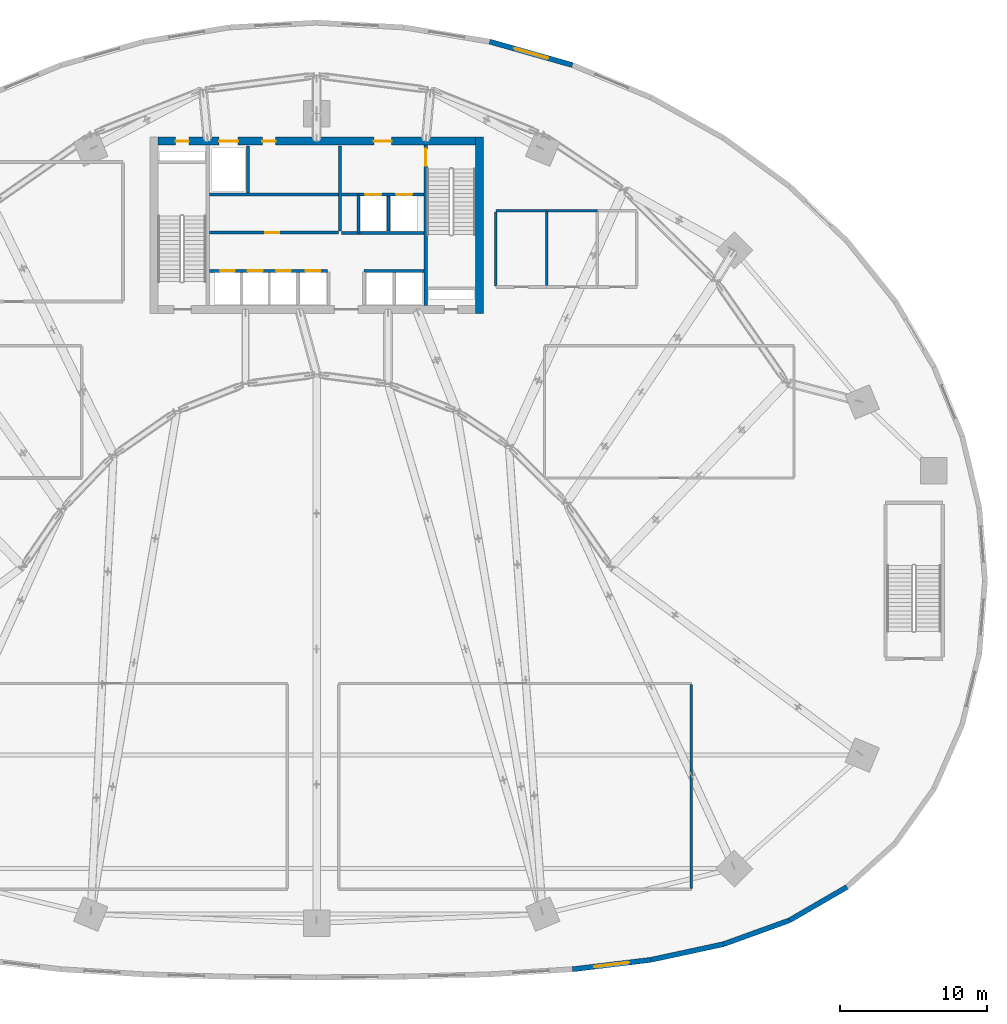
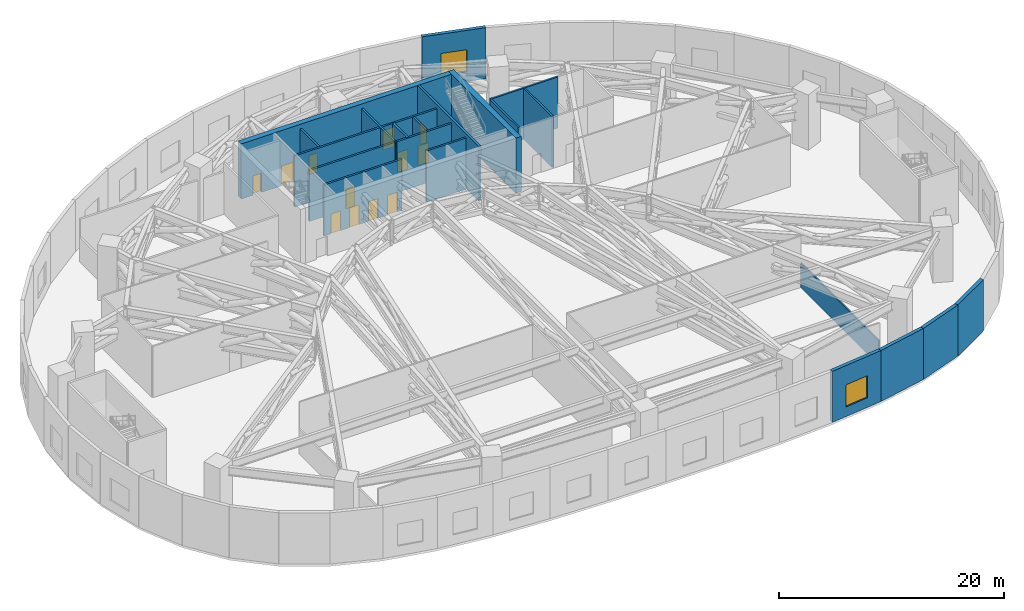
# One storey, part 15 of 19: 23 walls, 12 doors, 2 windows, 14 openings.
"""IFC4 building model written with IfcOpenShell, lengths in metres."""

from ifc_helpers import new_model, si_unit, direction, frame, frame_2d, origin, place, context, subcontext, project, spatial, rectangle, extrude, source, transform, mapped, material, layer, layer_set, type_object, type_shapes, element, fill, save


model = new_model("IFC4")

# Units and contexts
model_context = context("Model", 3, precision=1e-05, world=origin(), true_north=direction((0.0, 1.0)))
body_context = subcontext(model_context, "Body", "Model", "MODEL_VIEW")
ifc_project = project(units=[si_unit("LENGTHUNIT", "METRE"), si_unit("AREAUNIT", "SQUARE_METRE"), si_unit("VOLUMEUNIT", "CUBIC_METRE"), si_unit("PLANEANGLEUNIT", "RADIAN"), si_unit("MASSUNIT", "GRAM", prefix="KILO")], contexts=[model_context])

# Site, building, storey
site_placement = place(None, origin())
site = spatial("IfcSite", under=ifc_project, at=site_placement, CompositionType="ELEMENT")
building_placement = place(site_placement, origin())
building = spatial("IfcBuilding", under=site, at=building_placement, Name="Breltana Convention Tower", CompositionType="ELEMENT")
storey_placement = place(building_placement, frame((0.0, 0.0, 24.0)))
storey = spatial("IfcBuildingStorey", under=building, at=storey_placement, Name="L04", CompositionType="ELEMENT", Elevation=24.0)

# Wall
ifc_material_1 = material(Name="Concrete C60/75", Category="concrete")
ifc_layer_1 = layer(ifc_material_1, 0.550048828125, Name="Concrete C60/75")
ifc_layer_set_1 = layer_set([ifc_layer_1], Name="Concrete C60/75")
wall_type_1 = type_object("IfcWallType", Name="SW-CORE-550", PredefinedType="SHEAR", material=ifc_layer_set_1)
shared_shape_1 = source(origin(), body_context, "Body", "SweptSolid", [
    extrude(rectangle(XDim=12.0, YDim=0.550048828125, at=frame_2d((6.0, 0.0))), origin(), (0.0, 0.0, 1.0), 6.0),
])
wall_1_placement = place(storey_placement, frame((59.074951171875, 60.199951171875, 0.0), z_axis=(0.0, 0.0, 1.0), x_axis=(0.0, 1.0, 0.0)))
element("IfcWall", 1, at=wall_1_placement, inside=storey, type_object=wall_type_1, Name="L04 East Core Shear Wall", PredefinedType="SHEAR", context=body_context, shape_type="MappedRepresentation", body=[
    mapped(shared_shape_1, transform((0.0, 0.0, 0.0), scale=1.0)),
])

# Wall, openings, doors
shared_shape_2 = source(origin(), body_context, "Body", "SweptSolid", [
    extrude(rectangle(XDim=21.60009765625, YDim=0.550048828125, at=frame_2d((10.800048828125, 0.0))), origin(), (0.0, 0.0, 1.0), 6.0),
])
wall_2_placement = place(storey_placement, frame((37.199951171875, 71.925048828125, 0.0), z_axis=(0.0, 0.0, 1.0), x_axis=(1.0, 0.0, 0.0)))
wall_2 = element("IfcWall", 2, at=wall_2_placement, inside=storey, type_object=wall_type_1, Name="L04 North Core Shear Wall", PredefinedType="SHEAR", context=body_context, shape_type="MappedRepresentation", body=[
    mapped(shared_shape_2, transform((0.0, 0.0, 0.0), scale=1.0)),
])
opening_1_placement = place(wall_2_placement, frame((1.199951171875, 0.0, 0.0)))
opening_1 = element("IfcOpeningElement", 3, at=opening_1_placement, cuts=wall_2, Name="Opening D-18", PredefinedType="OPENING", context=body_context, shape_type="SweptSolid", body=[
    extrude(rectangle(XDim=0.89990234375, YDim=2.10009765625, at=frame_2d((0.449951171875, 1.050048828125))), frame((0.0, 0.28515625, 0.0), z_axis=(0.0, -1.0, 0.0), x_axis=(1.0, 0.0, 0.0)), (0.0, 0.0, 1.0), 0.570068359375),
])
opening_2_placement = place(wall_2_placement, frame((14.699951171875, 0.0, 0.0)))
opening_2 = element("IfcOpeningElement", 4, at=opening_2_placement, cuts=wall_2, Name="Opening D-09", PredefinedType="OPENING", context=body_context, shape_type="SweptSolid", body=[
    extrude(rectangle(XDim=1.199951171875, YDim=2.14990234375, at=frame_2d((0.60009765625, 1.074951171875))), frame((0.0, 0.28515625, 0.0), z_axis=(0.0, -1.0, 0.0), x_axis=(1.0, 0.0, 0.0)), (0.0, 0.0, 1.0), 0.570068359375),
])
opening_3_placement = place(wall_2_placement, frame((4.14990234375, 0.0, 0.0)))
opening_3 = element("IfcOpeningElement", 5, at=opening_3_placement, cuts=wall_2, Name="Opening LD-01", PredefinedType="OPENING", context=body_context, shape_type="SweptSolid", body=[
    extrude(rectangle(XDim=1.300048828125, YDim=2.14990234375, at=frame_2d((0.64990234375, 1.074951171875))), frame((0.0, 0.28515625, 0.0), z_axis=(0.0, -1.0, 0.0), x_axis=(1.0, 0.0, 0.0)), (0.0, 0.0, 1.0), 0.570068359375),
])
opening_4_placement = place(wall_2_placement, frame((7.10009765625, 0.0, 0.0)))
opening_4 = element("IfcOpeningElement", 6, at=opening_4_placement, cuts=wall_2, Name="Opening D-18", PredefinedType="OPENING", context=body_context, shape_type="SweptSolid", body=[
    extrude(rectangle(XDim=0.89990234375, YDim=2.10009765625, at=frame_2d((0.449951171875, 1.050048828125))), frame((0.0, 0.28515625, 0.0), z_axis=(0.0, -1.0, 0.0), x_axis=(1.0, 0.0, 0.0)), (0.0, 0.0, 1.0), 0.570068359375),
])
ifc_material_2 = material(Name="Steel Riser Fire Door", Category="steel")
door_type_1 = type_object("IfcDoorType", Name="DR-FD60-900", OperationType="NOTDEFINED", PredefinedType="DOOR", material=ifc_material_2)
shared_shape_3 = source(origin(), body_context, "Body", "SweptSolid", [
    extrude(rectangle(XDim=0.89990234375, YDim=2.10009765625, at=frame_2d((0.449951171875, 1.050048828125))), frame((0.0, 0.02490234375, 0.0), z_axis=(0.0, -1.0, 0.0), x_axis=(1.0, 0.0, 0.0)), (0.0, 0.0, 1.0), 0.050048828125),
])
type_shapes(door_type_1, [shared_shape_3])
door_1_placement = place(opening_1_placement, origin())
door_1 = element("IfcDoor", 7, at=door_1_placement, inside=storey, type_object=door_type_1, Name="L04 Core Riser Access Door D-L04-RS1", OperationType="SINGLE_SWING_LEFT", OverallHeight=2.10009765625, OverallWidth=0.89990234375, PredefinedType="DOOR", context=body_context, shape_type="MappedRepresentation", body=[
    mapped(shared_shape_3, transform((0.0, 0.0, 0.0), scale=1.0)),
])
fill(opening_1, door_1)
door_2_placement = place(opening_4_placement, origin())
door_2 = element("IfcDoor", 8, at=door_2_placement, inside=storey, type_object=door_type_1, Name="L04 interior door D-L04-CRA1", OperationType="SINGLE_SWING_RIGHT", OverallHeight=2.10009765625, OverallWidth=0.89990234375, PredefinedType="DOOR", context=body_context, shape_type="MappedRepresentation", body=[
    mapped(shared_shape_3, transform((0.0, 0.0, 0.0), scale=1.0)),
])
fill(opening_4, door_2)
ifc_material_3 = material(Name="Steel Fire Lobby Door", Category="steel")
door_type_2 = type_object("IfcDoorType", Name="DR-FD120-1200", OperationType="NOTDEFINED", PredefinedType="DOOR", material=ifc_material_3)
shared_shape_4 = source(origin(), body_context, "Body", "SweptSolid", [
    extrude(rectangle(XDim=1.199951171875, YDim=2.14990234375, at=frame_2d((0.60009765625, 1.074951171875))), frame((0.0, 0.02490234375, 0.0), z_axis=(0.0, -1.0, 0.0), x_axis=(1.0, 0.0, 0.0)), (0.0, 0.0, 1.0), 0.050048828125),
])
type_shapes(door_type_2, [shared_shape_4])
door_3_placement = place(opening_2_placement, origin())
door_3 = element("IfcDoor", 9, at=door_3_placement, inside=storey, type_object=door_type_2, Name="L04 interior door D-L04-FFL-N", OperationType="SINGLE_SWING_RIGHT", OverallHeight=2.14990234375, OverallWidth=1.199951171875, PredefinedType="DOOR", context=body_context, shape_type="MappedRepresentation", body=[
    mapped(shared_shape_4, transform((0.0, 0.0, 0.0), scale=1.0)),
])
fill(opening_2, door_3)
ifc_material_4 = material(Name="Stainless Steel Brushed", Category="steel")
door_type_3 = type_object("IfcDoorType", Name="DR-LD-SRV-1300", OperationType="DOUBLE_DOOR_SLIDING", PredefinedType="DOOR", material=ifc_material_4)
shared_shape_5 = source(origin(), body_context, "Body", "SweptSolid", [
    extrude(rectangle(XDim=1.300048828125, YDim=2.14990234375, at=frame_2d((0.64990234375, 1.074951171875))), frame((0.0, 0.02490234375, 0.0), z_axis=(0.0, -1.0, 0.0), x_axis=(1.0, 0.0, 0.0)), (0.0, 0.0, 1.0), 0.050048828125),
])
type_shapes(door_type_3, [shared_shape_5])
door_4_placement = place(opening_3_placement, origin())
door_4 = element("IfcDoor", 10, at=door_4_placement, inside=storey, type_object=door_type_3, Name="L04 Lift Landing Door D-L04-LD-SV1", OperationType="DOUBLE_DOOR_SLIDING", OverallHeight=2.14990234375, OverallWidth=1.300048828125, PredefinedType="DOOR", context=body_context, shape_type="MappedRepresentation", body=[
    mapped(shared_shape_5, transform((0.0, 0.0, 0.0), scale=1.0)),
])
fill(opening_3, door_4)

# Wall, opening, door
ifc_material_5 = material(Name="Concrete C50/60", Category="concrete")
ifc_layer_2 = layer(ifc_material_5, 0.39990234375, Name="Concrete C50/60")
ifc_layer_set_2 = layer_set([ifc_layer_2], Name="Concrete C50/60")
wall_type_2 = type_object("IfcWallType", Name="SW-CORE-400", PredefinedType="SHEAR", material=ifc_layer_set_2)
shared_shape_6 = source(origin(), body_context, "Body", "SweptSolid", [
    extrude(rectangle(XDim=10.89990234375, YDim=0.219970703125, at=frame_2d((5.449951171875, 0.0))), origin(), (0.0, 0.0, 1.0), 6.0),
])
wall_3_placement = place(storey_placement, frame((55.419921875, 60.75, 0.0), z_axis=(0.0, 0.0, 1.0), x_axis=(0.0, 1.0, 0.0)))
wall_3 = element("IfcWall", 11, at=wall_3_placement, inside=storey, type_object=wall_type_2, Name="L04 Core East Stair Spine Wall", PredefinedType="SHEAR", context=body_context, shape_type="MappedRepresentation", body=[
    mapped(shared_shape_6, transform((0.0, 0.0, 0.0), scale=1.0)),
])
opening_5_placement = place(wall_3_placement, frame((9.4951171875, 0.0, 0.0)))
opening_5 = element("IfcOpeningElement", 12, at=opening_5_placement, cuts=wall_3, Name="Opening D-11", PredefinedType="OPENING", context=body_context, shape_type="SweptSolid", body=[
    extrude(rectangle(XDim=1.14990234375, YDim=2.14990234375, at=frame_2d((0.574951171875, 1.074951171875))), frame((0.0, 0.1201171875, 0.0), z_axis=(0.0, -1.0, 0.0), x_axis=(1.0, 0.0, 0.0)), (0.0, 0.0, 1.0), 0.239990234375),
])
ifc_material_6 = material(Name="Steel Stair Exit Door", Category="steel")
door_type_4 = type_object("IfcDoorType", Name="DR-FD120-1150", OperationType="NOTDEFINED", PredefinedType="DOOR", material=ifc_material_6)
shared_shape_7 = source(origin(), body_context, "Body", "SweptSolid", [
    extrude(rectangle(XDim=1.14990234375, YDim=2.14990234375, at=frame_2d((0.574951171875, 1.074951171875))), frame((0.0, 0.02490234375, 0.0), z_axis=(0.0, -1.0, 0.0), x_axis=(1.0, 0.0, 0.0)), (0.0, 0.0, 1.0), 0.050048828125),
])
type_shapes(door_type_4, [shared_shape_7])
door_5_placement = place(opening_5_placement, origin())
door_5 = element("IfcDoor", 13, at=door_5_placement, inside=storey, type_object=door_type_4, Name="L04 interior door D-L04-ST2", OperationType="SINGLE_SWING_LEFT", OverallHeight=2.14990234375, OverallWidth=1.14990234375, PredefinedType="DOOR", context=body_context, shape_type="MappedRepresentation", body=[
    mapped(shared_shape_7, transform((0.0, 0.0, 0.0), scale=1.0)),
])
fill(opening_5, door_5)

# Wall, opening, window
ifc_material_7 = material(Name="Limestone Buff Insulated Wall", Category="masonry")
ifc_layer_3 = layer(ifc_material_7, 0.35009765625, Name="Limestone Buff Insulated Wall")
ifc_layer_set_3 = layer_set([ifc_layer_3], Name="Limestone Buff Insulated Wall")
wall_type_3 = type_object("IfcWallType", Name="WL-EXT-POD-350", PredefinedType="SOLIDWALL", material=ifc_layer_set_3)
shared_shape_8 = source(origin(), body_context, "Body", "SweptSolid", [
    extrude(rectangle(XDim=5.85791015625, YDim=0.35009765625, at=frame_2d((2.928955078125, 0.0))), origin(), (0.0, 0.0, 1.0), 5.550048828125),
])
wall_4_placement = place(storey_placement, frame((65.412109375, 77.107421875, 0.0), z_axis=(0.0, 0.0, 1.0), x_axis=(-0.962088093248, 0.272738887637, 0.0)))
wall_4 = element("IfcWall", 14, at=wall_4_placement, inside=storey, type_object=wall_type_3, Name="L04 limestone facade wall 10", PredefinedType="SOLIDWALL", context=body_context, shape_type="MappedRepresentation", body=[
    mapped(shared_shape_8, transform((0.0, 0.0, 0.0), scale=1.0)),
])
opening_6_placement = place(wall_4_placement, frame((1.72900390625, 0.0, 1.050048828125)))
opening_6 = element("IfcOpeningElement", 15, at=opening_6_placement, cuts=wall_4, Name="Opening W-02", PredefinedType="OPENING", context=body_context, shape_type="SweptSolid", body=[
    extrude(rectangle(XDim=2.39990234375, YDim=2.39990234375, at=frame_2d((1.199951171875, 1.199951171875))), frame((0.0, 0.18505859375, 0.0), z_axis=(0.0, -1.0, 0.0), x_axis=(1.0, 0.0, 0.0)), (0.0, 0.0, 1.0), 0.3701171875),
])
ifc_material_8 = material(Name="Glass Low-E Insulated Window", Category="glass")
window_type = type_object("IfcWindowType", Name="WN-POD-2400X2400", PartitioningType="DOUBLE_PANEL_VERTICAL", PredefinedType="WINDOW", material=ifc_material_8)
shared_shape_9 = source(origin(), body_context, "Body", "SweptSolid", [
    extrude(rectangle(XDim=2.39990234375, YDim=2.39990234375, at=frame_2d((1.199951171875, 1.199951171875))), frame((0.0, 0.030029296875, 0.0), z_axis=(0.0, -1.0, 0.0), x_axis=(1.0, 0.0, 0.0)), (0.0, 0.0, 1.0), 0.06005859375),
])
type_shapes(window_type, [shared_shape_9])
window_1_placement = place(opening_6_placement, origin())
window_1 = element("IfcWindow", 16, at=window_1_placement, inside=storey, type_object=window_type, Name="L04 tripartite window 10.1", OverallHeight=2.39990234375, OverallWidth=2.39990234375, PartitioningType="DOUBLE_PANEL_VERTICAL", PredefinedType="WINDOW", context=body_context, shape_type="MappedRepresentation", body=[
    mapped(shared_shape_9, transform((0.0, 0.0, 0.0), scale=1.0)),
])
fill(opening_6, window_1)

# Walls
shared_shape_10 = source(origin(), body_context, "Body", "SweptSolid", [
    extrude(rectangle(XDim=4.535400390625, YDim=0.35009765625, at=frame_2d((2.267578125, 0.0))), origin(), (0.0, 0.0, 1.0), 5.550048828125),
])
wall_5_placement = place(storey_placement, frame((80.17333984375, 18.880615234375, 0.0), z_axis=(0.0, 0.0, 1.0), x_axis=(0.86528620064, 0.501278157295, 0.0)))
element("IfcWall", 17, at=wall_5_placement, inside=storey, type_object=wall_type_3, Name="L04 limestone facade wall 43", PredefinedType="SOLIDWALL", context=body_context, shape_type="MappedRepresentation", body=[
    mapped(shared_shape_10, transform((0.0, 0.0, 0.0), scale=1.0)),
])
shared_shape_11 = source(origin(), body_context, "Body", "SweptSolid", [
    extrude(rectangle(XDim=4.75830078125, YDim=0.35009765625, at=frame_2d((2.379150390625, 0.0))), origin(), (0.0, 0.0, 1.0), 5.550048828125),
])
wall_6_placement = place(storey_placement, frame((75.698486328125, 17.2626953125, 0.0), z_axis=(0.0, 0.0, 1.0), x_axis=(0.940419515454, 0.340016374538, 0.0)))
element("IfcWall", 18, at=wall_6_placement, inside=storey, type_object=wall_type_3, Name="L04 limestone facade wall 42", PredefinedType="SOLIDWALL", context=body_context, shape_type="MappedRepresentation", body=[
    mapped(shared_shape_11, transform((0.0, 0.0, 0.0), scale=1.0)),
])
shared_shape_12 = source(origin(), body_context, "Body", "SweptSolid", [
    extrude(rectangle(XDim=5.062255859375, YDim=0.35009765625, at=frame_2d((2.53125, 0.0))), origin(), (0.0, 0.0, 1.0), 5.550048828125),
])
wall_7_placement = place(storey_placement, frame((70.75, 16.196044921875, 0.0), z_axis=(0.0, 0.0, 1.0), x_axis=(0.977548321811, 0.210711363066, 0.0)))
element("IfcWall", 19, at=wall_7_placement, inside=storey, type_object=wall_type_3, Name="L04 limestone facade wall 41", PredefinedType="SOLIDWALL", context=body_context, shape_type="MappedRepresentation", body=[
    mapped(shared_shape_12, transform((0.0, 0.0, 0.0), scale=1.0)),
])

# Wall, opening, window
shared_shape_13 = source(origin(), body_context, "Body", "SweptSolid", [
    extrude(rectangle(XDim=5.37646484375, YDim=0.35009765625, at=frame_2d((2.688232421875, 0.0))), origin(), (0.0, 0.0, 1.0), 5.550048828125),
])
wall_8_placement = place(storey_placement, frame((65.412109375, 15.552734375, 0.0), z_axis=(0.0, 0.0, 1.0), x_axis=(0.992815901624, 0.119651934723, 0.0)))
wall_8 = element("IfcWall", 20, at=wall_8_placement, inside=storey, type_object=wall_type_3, Name="L04 limestone facade wall 40", PredefinedType="SOLIDWALL", context=body_context, shape_type="MappedRepresentation", body=[
    mapped(shared_shape_13, transform((0.0, 0.0, 0.0), scale=1.0)),
])
opening_7_placement = place(wall_8_placement, frame((1.48828125, 0.0, 1.050048828125)))
opening_7 = element("IfcOpeningElement", 21, at=opening_7_placement, cuts=wall_8, Name="Opening W-02", PredefinedType="OPENING", context=body_context, shape_type="SweptSolid", body=[
    extrude(rectangle(XDim=2.39990234375, YDim=2.39990234375, at=frame_2d((1.199951171875, 1.199951171875))), frame((0.0, 0.18505859375, 0.0), z_axis=(0.0, -1.0, 0.0), x_axis=(1.0, 0.0, 0.0)), (0.0, 0.0, 1.0), 0.3701171875),
])
window_2_placement = place(opening_7_placement, origin())
window_2 = element("IfcWindow", 22, at=window_2_placement, inside=storey, type_object=window_type, Name="L04 tripartite window 40.1", OverallHeight=2.39990234375, OverallWidth=2.39990234375, PartitioningType="DOUBLE_PANEL_VERTICAL", PredefinedType="WINDOW", context=body_context, shape_type="MappedRepresentation", body=[
    mapped(shared_shape_9, transform((0.0, 0.0, 0.0), scale=1.0)),
])
fill(opening_7, window_2)

# Wall, openings, doors
ifc_material_9 = material(Name="Autoclaved Aerated Concrete Block", Category="concrete")
ifc_layer_4 = layer(ifc_material_9, 0.199951171875, Name="Autoclaved Aerated Concrete Block")
ifc_layer_set_4 = layer_set([ifc_layer_4], Name="Autoclaved Aerated Concrete Block")
wall_type_4 = type_object("IfcWallType", Name="WL-SHAFT-200", PredefinedType="SOLIDWALL", material=ifc_layer_set_4)
shared_shape_14 = source(origin(), body_context, "Body", "SweptSolid", [
    extrude(rectangle(XDim=5.6201171875, YDim=0.199951171875, at=frame_2d((2.81005859375, 0.0))), origin(), (0.0, 0.0, 1.0), 5.550048828125),
])
wall_9_placement = place(storey_placement, frame((49.699951171875, 68.300048828125, 0.0), z_axis=(0.0, 0.0, 1.0), x_axis=(1.0, 0.0, 0.0)))
wall_9 = element("IfcWall", 23, at=wall_9_placement, inside=storey, type_object=wall_type_4, Name="L04 interior partition W-L04-FFL-S", PredefinedType="SOLIDWALL", context=body_context, shape_type="MappedRepresentation", body=[
    mapped(shared_shape_14, transform((0.0, 0.0, 0.0), scale=1.0)),
])
opening_8_placement = place(wall_9_placement, frame((1.60009765625, 0.0, 0.0)))
opening_8 = element("IfcOpeningElement", 24, at=opening_8_placement, cuts=wall_9, Name="Opening LD-03", PredefinedType="OPENING", context=body_context, shape_type="SweptSolid", body=[
    extrude(rectangle(XDim=1.10009765625, YDim=2.14990234375, at=frame_2d((0.550048828125, 1.074951171875))), frame((0.0, 0.10986328125, 0.0), z_axis=(0.0, -1.0, 0.0), x_axis=(1.0, 0.0, 0.0)), (0.0, 0.0, 1.0), 0.219970703125),
])
opening_9_placement = place(wall_9_placement, frame((3.699951171875, 0.0, 0.0)))
opening_9 = element("IfcOpeningElement", 25, at=opening_9_placement, cuts=wall_9, Name="Opening LD-03", PredefinedType="OPENING", context=body_context, shape_type="SweptSolid", body=[
    extrude(rectangle(XDim=1.10009765625, YDim=2.14990234375, at=frame_2d((0.550048828125, 1.074951171875))), frame((0.0, 0.10986328125, 0.0), z_axis=(0.0, -1.0, 0.0), x_axis=(1.0, 0.0, 0.0)), (0.0, 0.0, 1.0), 0.219970703125),
])
door_type_5 = type_object("IfcDoorType", Name="DR-LD-FF-1100", OperationType="DOUBLE_DOOR_SLIDING", PredefinedType="DOOR", material=ifc_material_4)
shared_shape_15 = source(origin(), body_context, "Body", "SweptSolid", [
    extrude(rectangle(XDim=1.10009765625, YDim=2.14990234375, at=frame_2d((0.550048828125, 1.074951171875))), frame((0.0, 0.02490234375, 0.0), z_axis=(0.0, -1.0, 0.0), x_axis=(1.0, 0.0, 0.0)), (0.0, 0.0, 1.0), 0.050048828125),
])
type_shapes(door_type_5, [shared_shape_15])
door_6_placement = place(opening_8_placement, origin())
door_6 = element("IfcDoor", 26, at=door_6_placement, inside=storey, type_object=door_type_5, Name="L04 Lift Landing Door D-L04-LD-FL1", OperationType="DOUBLE_DOOR_SLIDING", OverallHeight=2.14990234375, OverallWidth=1.10009765625, PredefinedType="DOOR", context=body_context, shape_type="MappedRepresentation", body=[
    mapped(shared_shape_15, transform((0.0, 0.0, 0.0), scale=1.0)),
])
fill(opening_8, door_6)
door_7_placement = place(opening_9_placement, origin())
door_7 = element("IfcDoor", 27, at=door_7_placement, inside=storey, type_object=door_type_5, Name="L04 Lift Landing Door D-L04-LD-FL2", OperationType="DOUBLE_DOOR_SLIDING", OverallHeight=2.14990234375, OverallWidth=1.10009765625, PredefinedType="DOOR", context=body_context, shape_type="MappedRepresentation", body=[
    mapped(shared_shape_15, transform((0.0, 0.0, 0.0), scale=1.0)),
])
fill(opening_9, door_7)

# Walls
wall_10_placement = place(storey_placement, frame((49.699951171875, 65.679931640625, 0.0), z_axis=(0.0, 0.0, 1.0), x_axis=(1.0, 0.0, 0.0)))
element("IfcWall", 28, at=wall_10_placement, inside=storey, type_object=wall_type_4, Name="L04 interior partition W-L04-FL-S", PredefinedType="SOLIDWALL", context=body_context, shape_type="MappedRepresentation", body=[
    mapped(shared_shape_14, transform((0.0, 0.0, 0.0), scale=1.0)),
])
shared_shape_16 = source(origin(), body_context, "Body", "SweptSolid", [
    extrude(rectangle(XDim=5.800048828125, YDim=0.199951171875, at=frame_2d((2.89990234375, 0.0))), origin(), (0.0, 0.0, 1.0), 5.550048828125),
])
wall_11_placement = place(storey_placement, frame((49.60009765625, 65.800048828125, 0.0), z_axis=(0.0, 0.0, 1.0), x_axis=(0.0, 1.0, 0.0)))
element("IfcWall", 29, at=wall_11_placement, inside=storey, type_object=wall_type_4, Name="L04 interior partition W-L04-FFL-W", PredefinedType="SOLIDWALL", context=body_context, shape_type="MappedRepresentation", body=[
    mapped(shared_shape_16, transform((0.0, 0.0, 0.0), scale=1.0)),
])
shared_shape_17 = source(origin(), body_context, "Body", "SweptSolid", [
    extrude(rectangle(XDim=2.580078125, YDim=0.199951171875, at=frame_2d((1.2900390625, 0.0))), origin(), (0.0, 0.0, 1.0), 5.550048828125),
])
wall_12_placement = place(storey_placement, frame((50.85009765625, 65.679931640625, 0.0), z_axis=(0.0, 0.0, 1.0), x_axis=(0.0, 1.0, 0.0)))
element("IfcWall", 30, at=wall_12_placement, inside=storey, type_object=wall_type_4, Name="L04 interior partition W-L04-FL-W", PredefinedType="SOLIDWALL", context=body_context, shape_type="MappedRepresentation", body=[
    mapped(shared_shape_17, transform((0.0, 0.0, 0.0), scale=1.0)),
])
shared_shape_18 = source(origin(), body_context, "Body", "SweptSolid", [
    extrude(rectangle(XDim=2.39990234375, YDim=0.199951171875, at=frame_2d((1.199951171875, 0.0))), origin(), (0.0, 0.0, 1.0), 5.550048828125),
])
wall_13_placement = place(storey_placement, frame((52.89990234375, 65.800048828125, 0.0), z_axis=(0.0, 0.0, 1.0), x_axis=(0.0, 1.0, 0.0)))
element("IfcWall", 31, at=wall_13_placement, inside=storey, type_object=wall_type_4, Name="L04 interior partition W-L04-FL-DIV", PredefinedType="SOLIDWALL", context=body_context, shape_type="MappedRepresentation", body=[
    mapped(shared_shape_18, transform((0.0, 0.0, 0.0), scale=1.0)),
])
shared_shape_19 = source(origin(), body_context, "Body", "SweptSolid", [
    extrude(rectangle(XDim=3.2001953125, YDim=0.199951171875, at=frame_2d((1.60009765625, 0.0))), origin(), (0.0, 0.0, 1.0), 5.550048828125),
])
wall_14_placement = place(storey_placement, frame((43.320068359375, 68.39990234375, 0.0), z_axis=(0.0, 0.0, 1.0), x_axis=(0.0, 1.0, 0.0)))
element("IfcWall", 32, at=wall_14_placement, inside=storey, type_object=wall_type_4, Name="L04 interior partition W-L04-SV-E", PredefinedType="SOLIDWALL", context=body_context, shape_type="MappedRepresentation", body=[
    mapped(shared_shape_19, transform((0.0, 0.0, 0.0), scale=1.0)),
])
shared_shape_20 = source(origin(), body_context, "Body", "SweptSolid", [
    extrude(rectangle(XDim=8.800048828125, YDim=0.199951171875, at=frame_2d((4.39990234375, 0.0))), origin(), (0.0, 0.0, 1.0), 5.550048828125),
])
wall_15_placement = place(storey_placement, frame((40.699951171875, 68.300048828125, 0.0), z_axis=(0.0, 0.0, 1.0), x_axis=(1.0, 0.0, 0.0)))
element("IfcWall", 33, at=wall_15_placement, inside=storey, type_object=wall_type_4, Name="L04 interior partition W-L04-SV-S", PredefinedType="SOLIDWALL", context=body_context, shape_type="MappedRepresentation", body=[
    mapped(shared_shape_20, transform((0.0, 0.0, 0.0), scale=1.0)),
])

# Wall, opening, door
wall_16_placement = place(storey_placement, frame((40.699951171875, 65.699951171875, 0.0), z_axis=(0.0, 0.0, 1.0), x_axis=(1.0, 0.0, 0.0)))
wall_16 = element("IfcWall", 34, at=wall_16_placement, inside=storey, type_object=wall_type_4, Name="L04 interior partition W-L04-SH-M-FRONT", PredefinedType="SOLIDWALL", context=body_context, shape_type="MappedRepresentation", body=[
    mapped(shared_shape_20, transform((0.0, 0.0, 0.0), scale=1.0)),
])
opening_10_placement = place(wall_16_placement, frame((3.800048828125, 0.0, 0.0)))
opening_10 = element("IfcOpeningElement", 35, at=opening_10_placement, cuts=wall_16, Name="Opening D-14", PredefinedType="OPENING", context=body_context, shape_type="SweptSolid", body=[
    extrude(rectangle(XDim=0.949951171875, YDim=2.14990234375, at=frame_2d((0.47509765625, 1.074951171875))), frame((0.0, 0.10986328125, 0.0), z_axis=(0.0, -1.0, 0.0), x_axis=(1.0, 0.0, 0.0)), (0.0, 0.0, 1.0), 0.219970703125),
])
ifc_material_10 = material(Name="Timber Solid-Core Fire Door", Category="wood")
door_type_6 = type_object("IfcDoorType", Name="DR-FD60-950", OperationType="NOTDEFINED", PredefinedType="DOOR", material=ifc_material_10)
shared_shape_21 = source(origin(), body_context, "Body", "SweptSolid", [
    extrude(rectangle(XDim=0.949951171875, YDim=2.14990234375, at=frame_2d((0.47509765625, 1.074951171875))), frame((0.0, 0.02490234375, 0.0), z_axis=(0.0, -1.0, 0.0), x_axis=(1.0, 0.0, 0.0)), (0.0, 0.0, 1.0), 0.050048828125),
])
type_shapes(door_type_6, [shared_shape_21])
door_8_placement = place(opening_10_placement, origin())
door_8 = element("IfcDoor", 36, at=door_8_placement, inside=storey, type_object=door_type_6, Name="L04 interior door D-L04-LV7-B2A", OperationType="SINGLE_SWING_LEFT", OverallHeight=2.14990234375, OverallWidth=0.949951171875, PredefinedType="DOOR", context=body_context, shape_type="MappedRepresentation", body=[
    mapped(shared_shape_21, transform((0.0, 0.0, 0.0), scale=1.0)),
])
fill(opening_10, door_8)

# Wall, openings, doors
shared_shape_22 = source(origin(), body_context, "Body", "SweptSolid", [
    extrude(rectangle(XDim=8.02001953125, YDim=0.199951171875, at=frame_2d((4.010009765625, 0.0))), origin(), (0.0, 0.0, 1.0), 5.550048828125),
])
wall_17_placement = place(storey_placement, frame((40.699951171875, 63.10009765625, 0.0), z_axis=(0.0, 0.0, 1.0), x_axis=(1.0, 0.0, 0.0)))
wall_17 = element("IfcWall", 37, at=wall_17_placement, inside=storey, type_object=wall_type_4, Name="L04 interior partition W-L04-SH-S-FRONT", PredefinedType="SOLIDWALL", context=body_context, shape_type="MappedRepresentation", body=[
    mapped(shared_shape_22, transform((0.0, 0.0, 0.0), scale=1.0)),
])
opening_11_placement = place(wall_17_placement, frame((0.719970703125, 0.0, 0.0)))
opening_11 = element("IfcOpeningElement", 38, at=opening_11_placement, cuts=wall_17, Name="Opening LD-04", PredefinedType="OPENING", context=body_context, shape_type="SweptSolid", body=[
    extrude(rectangle(XDim=1.0, YDim=2.14990234375, at=frame_2d((0.5, 1.074951171875))), frame((0.0, 0.10986328125, 0.0), z_axis=(0.0, -1.0, 0.0), x_axis=(1.0, 0.0, 0.0)), (0.0, 0.0, 1.0), 0.219970703125),
])
opening_12_placement = place(wall_17_placement, frame((2.6201171875, 0.0, 0.0)))
opening_12 = element("IfcOpeningElement", 39, at=opening_12_placement, cuts=wall_17, Name="Opening LD-04", PredefinedType="OPENING", context=body_context, shape_type="SweptSolid", body=[
    extrude(rectangle(XDim=1.0, YDim=2.14990234375, at=frame_2d((0.5, 1.074951171875))), frame((0.0, 0.10986328125, 0.0), z_axis=(0.0, -1.0, 0.0), x_axis=(1.0, 0.0, 0.0)), (0.0, 0.0, 1.0), 0.219970703125),
])
opening_13_placement = place(wall_17_placement, frame((4.550048828125, 0.0, 0.0)))
opening_13 = element("IfcOpeningElement", 40, at=opening_13_placement, cuts=wall_17, Name="Opening LD-04", PredefinedType="OPENING", context=body_context, shape_type="SweptSolid", body=[
    extrude(rectangle(XDim=1.0, YDim=2.14990234375, at=frame_2d((0.5, 1.074951171875))), frame((0.0, 0.10986328125, 0.0), z_axis=(0.0, -1.0, 0.0), x_axis=(1.0, 0.0, 0.0)), (0.0, 0.0, 1.0), 0.219970703125),
])
opening_14_placement = place(wall_17_placement, frame((6.550048828125, 0.0, 0.0)))
opening_14 = element("IfcOpeningElement", 41, at=opening_14_placement, cuts=wall_17, Name="Opening LD-04", PredefinedType="OPENING", context=body_context, shape_type="SweptSolid", body=[
    extrude(rectangle(XDim=1.0, YDim=2.14990234375, at=frame_2d((0.5, 1.074951171875))), frame((0.0, 0.10986328125, 0.0), z_axis=(0.0, -1.0, 0.0), x_axis=(1.0, 0.0, 0.0)), (0.0, 0.0, 1.0), 0.219970703125),
])
door_type_7 = type_object("IfcDoorType", Name="DR-LD-PAX-1000", OperationType="DOUBLE_DOOR_SLIDING", PredefinedType="DOOR", material=ifc_material_4)
shared_shape_23 = source(origin(), body_context, "Body", "SweptSolid", [
    extrude(rectangle(XDim=1.0, YDim=2.14990234375, at=frame_2d((0.5, 1.074951171875))), frame((0.0, 0.02490234375, 0.0), z_axis=(0.0, -1.0, 0.0), x_axis=(1.0, 0.0, 0.0)), (0.0, 0.0, 1.0), 0.050048828125),
])
type_shapes(door_type_7, [shared_shape_23])
door_9_placement = place(opening_11_placement, origin())
door_9 = element("IfcDoor", 42, at=door_9_placement, inside=storey, type_object=door_type_7, Name="L04 Lift Landing Door D-L04-LD-S1", OperationType="DOUBLE_DOOR_SLIDING", OverallHeight=2.14990234375, OverallWidth=1.0, PredefinedType="DOOR", context=body_context, shape_type="MappedRepresentation", body=[
    mapped(shared_shape_23, transform((0.0, 0.0, 0.0), scale=1.0)),
])
fill(opening_11, door_9)
door_10_placement = place(opening_12_placement, origin())
door_10 = element("IfcDoor", 43, at=door_10_placement, inside=storey, type_object=door_type_7, Name="L04 Lift Landing Door D-L04-LD-S2", OperationType="DOUBLE_DOOR_SLIDING", OverallHeight=2.14990234375, OverallWidth=1.0, PredefinedType="DOOR", context=body_context, shape_type="MappedRepresentation", body=[
    mapped(shared_shape_23, transform((0.0, 0.0, 0.0), scale=1.0)),
])
fill(opening_12, door_10)
door_11_placement = place(opening_13_placement, origin())
door_11 = element("IfcDoor", 44, at=door_11_placement, inside=storey, type_object=door_type_7, Name="L04 Lift Landing Door D-L04-LD-S3", OperationType="DOUBLE_DOOR_SLIDING", OverallHeight=2.14990234375, OverallWidth=1.0, PredefinedType="DOOR", context=body_context, shape_type="MappedRepresentation", body=[
    mapped(shared_shape_23, transform((0.0, 0.0, 0.0), scale=1.0)),
])
fill(opening_13, door_11)
door_12_placement = place(opening_14_placement, origin())
door_12 = element("IfcDoor", 45, at=door_12_placement, inside=storey, type_object=door_type_7, Name="L04 Lift Landing Door D-L04-LD-S4", OperationType="DOUBLE_DOOR_SLIDING", OverallHeight=2.14990234375, OverallWidth=1.0, PredefinedType="DOOR", context=body_context, shape_type="MappedRepresentation", body=[
    mapped(shared_shape_23, transform((0.0, 0.0, 0.0), scale=1.0)),
])
fill(opening_14, door_12)

# Walls
shared_shape_24 = source(origin(), body_context, "Body", "SweptSolid", [
    extrude(rectangle(XDim=4.10009765625, YDim=0.199951171875, at=frame_2d((2.050048828125, 0.0))), origin(), (0.0, 0.0, 1.0), 5.550048828125),
])
wall_18_placement = place(storey_placement, frame((51.219970703125, 63.10009765625, 0.0), z_axis=(0.0, 0.0, 1.0), x_axis=(1.0, 0.0, 0.0)))
element("IfcWall", 46, at=wall_18_placement, inside=storey, type_object=wall_type_4, Name="L04 interior partition W-L04-SH-X-FRONT", PredefinedType="SOLIDWALL", context=body_context, shape_type="MappedRepresentation", body=[
    mapped(shared_shape_24, transform((0.0, 0.0, 0.0), scale=1.0)),
])
ifc_material_11 = material(Name="Moisture-Resistant Gypsum Chase Wall")
ifc_layer_5 = layer(ifc_material_11, 0.179931640625, Name="Moisture-Resistant Gypsum Chase Wall")
ifc_layer_set_5 = layer_set([ifc_layer_5], Name="Moisture-Resistant Gypsum Chase Wall")
wall_type_5 = type_object("IfcWallType", Name="WL-PLUMB-180", PredefinedType="PLUMBINGWALL", material=ifc_layer_set_5)
shared_shape_25 = source(origin(), body_context, "Body", "SweptSolid", [
    extrude(rectangle(XDim=3.4560546875, YDim=0.179931640625, at=frame_2d((1.72802734375, 0.0))), origin(), (0.0, 0.0, 1.0), 5.550048828125),
])
for number, where, z_axis, x_axis, name in (
    (47, (60.199951171875, 67.199951171875, 0.0), (0.0, 0.0, 1.0), (1.0, 0.0, 0.0), "L04 interior partition W-L04-WCM-N"),
    (48, (63.656005859375, 67.199951171875, 0.0), (0.0, 0.0, 1.0), (1.0, 0.0, 0.0), "L04 interior partition W-L04-WCF-N"),
):
    element("IfcWall", number, at=place(storey_placement, frame(where, z_axis=z_axis, x_axis=x_axis)), inside=storey, type_object=wall_type_5, Name=name, PredefinedType="PLUMBINGWALL", context=body_context, shape_type="MappedRepresentation", body=[
        mapped(shared_shape_25, transform((0.0, 0.0, 0.0), scale=1.0)),
    ])
ifc_material_12 = material(Name="Cement Board Wet-Area Partition")
ifc_layer_6 = layer(ifc_material_12, 0.175048828125, Name="Cement Board Wet-Area Partition")
ifc_layer_set_6 = layer_set([ifc_layer_6], Name="Cement Board Wet-Area Partition")
wall_type_6 = type_object("IfcWallType", Name="WL-WET-175", PredefinedType="PARTITIONING", material=ifc_layer_set_6)
shared_shape_26 = source(origin(), body_context, "Body", "SweptSolid", [
    extrude(rectangle(XDim=5.042724609375, YDim=0.175048828125, at=frame_2d((2.521484375, 0.0))), origin(), (0.0, 0.0, 1.0), 5.550048828125),
])
for number, where, z_axis, x_axis, name in (
    (49, (60.199951171875, 62.07861328125, 0.0), (0.0, 0.0, 1.0), (0.0, 1.0, 0.0), "L04 interior partition W-L04-WCM-W"),
    (50, (63.656005859375, 62.07861328125, 0.0), (0.0, 0.0, 1.0), (0.0, 1.0, 0.0), "L04 interior partition W-L04-WCM-E"),
):
    element("IfcWall", number, at=place(storey_placement, frame(where, z_axis=z_axis, x_axis=x_axis)), inside=storey, type_object=wall_type_6, Name=name, PredefinedType="PARTITIONING", context=body_context, shape_type="MappedRepresentation", body=[
        mapped(shared_shape_26, transform((0.0, 0.0, 0.0), scale=1.0)),
    ])
ifc_material_13 = material(Name="Gypsum Acoustic Drywall Partition")
ifc_layer_7 = layer(ifc_material_13, 0.14990234375, Name="Gypsum Acoustic Drywall Partition")
ifc_layer_set_7 = layer_set([ifc_layer_7], Name="Gypsum Acoustic Drywall Partition")
wall_type_7 = type_object("IfcWallType", Name="WL-PART-150", PredefinedType="PARTITIONING", material=ifc_layer_set_7)
shared_shape_27 = source(origin(), body_context, "Body", "SweptSolid", [
    extrude(rectangle(XDim=13.865234375, YDim=0.14990234375, at=frame_2d((6.9326171875, 0.0))), origin(), (0.0, 0.0, 1.0), 2.659912109375),
])
wall_19_placement = place(storey_placement, frame((73.5, 21.0673828125, 0.0), z_axis=(0.0, 0.0, 1.0), x_axis=(0.0, 1.0, 0.0)))
element("IfcWall", 51, at=wall_19_placement, inside=storey, type_object=wall_type_7, Name="L04 interior partition W-L04-BRD2-E", PredefinedType="PARTITIONING", context=body_context, shape_type="MappedRepresentation", body=[
    mapped(shared_shape_27, transform((0.0, 0.0, 0.0), scale=1.0)),
])

save(model, "model.ifc")
